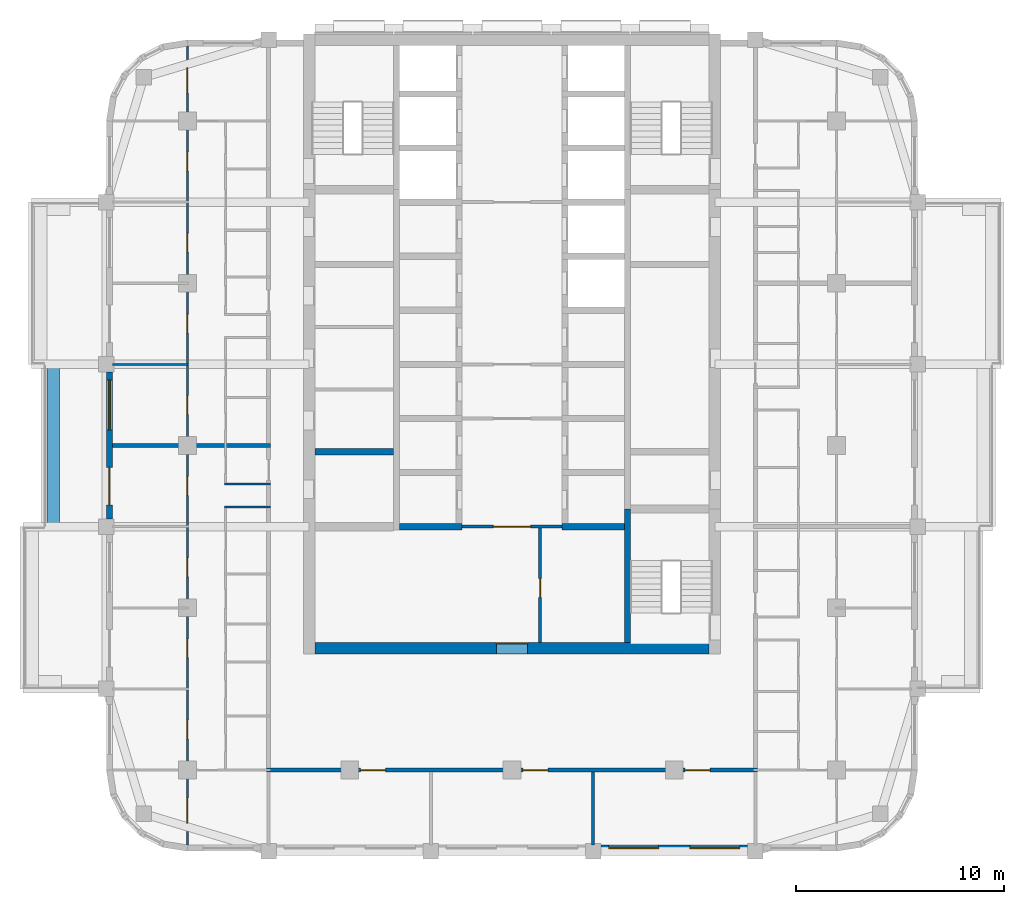
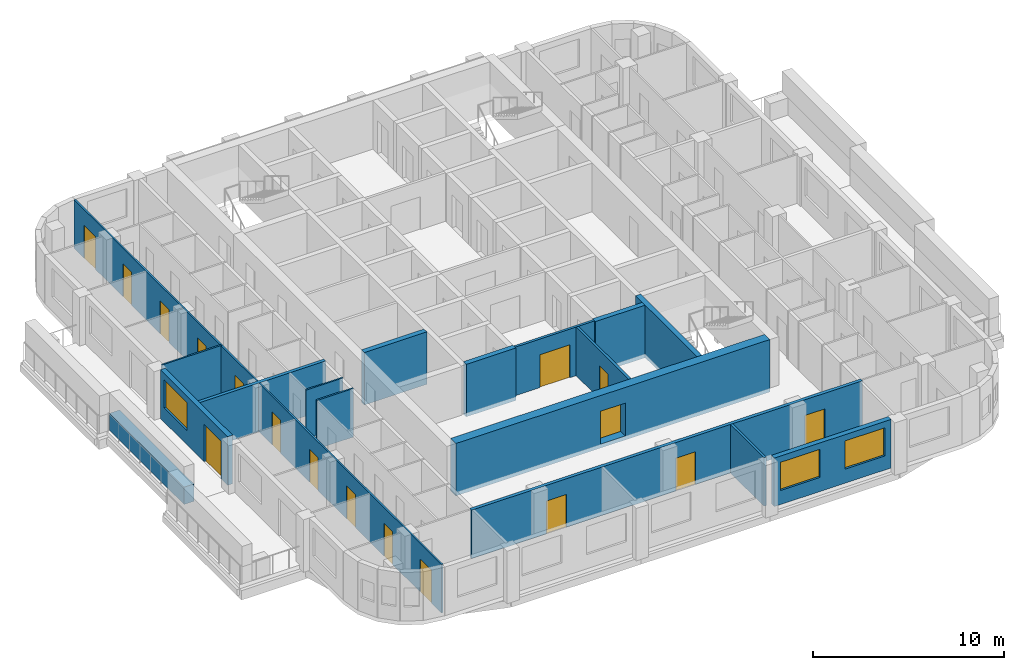
# One storey, part 3 of 13: 17 doors, 17 walls, 3 windows, 20 openings.
"""IFC4 building model written with IfcOpenShell, lengths in metres."""

from ifc_helpers import new_model, si_unit, direction, frame, frame_2d, origin, place, context, subcontext, project, spatial, rectangle, extrude, material, layer, layer_set, type_object, element, fill, save


model = new_model("IFC4")

# Units and contexts
model_context = context("Model", 3, precision=1e-05, world=origin(), true_north=direction((0.0, 1.0)))
body_context = subcontext(model_context, "Body", "Model", "MODEL_VIEW")
ifc_project = project(units=[si_unit("LENGTHUNIT", "METRE"), si_unit("AREAUNIT", "SQUARE_METRE"), si_unit("VOLUMEUNIT", "CUBIC_METRE"), si_unit("PLANEANGLEUNIT", "RADIAN"), si_unit("MASSUNIT", "GRAM", prefix="KILO")], contexts=[model_context])

# Site, building, storey
site_placement = place(None, origin())
site = spatial("IfcSite", under=ifc_project, at=site_placement, CompositionType="ELEMENT")
building_placement = place(site_placement, origin())
building = spatial("IfcBuilding", under=site, at=building_placement, Name="Ludao Terraces", CompositionType="ELEMENT")
storey_placement = place(building_placement, frame((0.0, 0.0, 189.39990234375)))
storey = spatial("IfcBuildingStorey", under=building, at=storey_placement, Name="L51", CompositionType="ELEMENT", Elevation=189.39990234375)

# Wall, opening, door
ifc_material_1 = material(Name="Concrete C60", Category="concrete")
ifc_layer_1 = layer(ifc_material_1, 0.550048828125)
ifc_layer_set_1 = layer_set([ifc_layer_1], Name="Core wall 550 C60")
wall_type_1 = type_object("IfcWallType", Name="Core wall 550 C60", PredefinedType="SOLIDWALL", material=ifc_layer_set_1)
wall_1_placement = place(storey_placement, frame((75.52490234375, 55.25, -0.25), z_axis=(0.0, 0.0, 1.0), x_axis=(1.0, 0.0, 0.0)))
wall_1 = element("IfcWall", 1, at=wall_1_placement, inside=storey, type_object=wall_type_1, Name="Core wall L51 outer-S", PredefinedType="SOLIDWALL", context=body_context, shape_type="SweptSolid", body=[
    extrude(rectangle(XDim=18.9501953125, YDim=0.550048828125, at=frame_2d((9.47509765625, 0.0))), origin(), (0.0, 0.0, 1.0), 3.35009765625),
])
opening_1_placement = place(wall_1_placement, frame((8.72509765625, 0.0, 0.25)))
opening_1 = element("IfcOpeningElement", 2, at=opening_1_placement, cuts=wall_1, Name="Opening R18-016", PredefinedType="OPENING", context=body_context, shape_type="SweptSolid", body=[
    extrude(rectangle(XDim=1.5, YDim=2.10009765625, at=frame_2d((0.75, 1.050048828125))), frame((0.0, 0.28515625, 0.0), z_axis=(0.0, -1.0, 0.0), x_axis=(1.0, 0.0, 0.0)), (0.0, 0.0, 1.0), 0.570068359375),
])
ifc_material_2 = material(Name="Steel Q235", Category="steel")
door_type_1 = type_object("IfcDoorType", Name="INT Lobby door 1500", OperationType="DOUBLE_DOOR_SINGLE_SWING", PredefinedType="DOOR", material=ifc_material_2)
door_1_placement = place(opening_1_placement, origin())
door_1 = element("IfcDoor", 3, at=door_1_placement, inside=storey, type_object=door_type_1, Name="DOOR 016", OperationType="DOUBLE_DOOR_SINGLE_SWING", OverallHeight=2.10009765625, OverallWidth=1.5, PredefinedType="DOOR", context=body_context, shape_type="SweptSolid", body=[
    extrude(rectangle(XDim=1.5, YDim=2.10009765625, at=frame_2d((0.75, 1.050048828125))), frame((0.0, 0.26025390625, 0.0), z_axis=(0.0, -1.0, 0.0), x_axis=(1.0, 0.0, 0.0)), (0.0, 0.0, 1.0), 0.050048828125),
])
fill(opening_1, door_1)

# Wall
ifc_material_3 = material(Name="Concrete C40", Category="concrete")
ifc_layer_2 = layer(ifc_material_3, 0.60009765625)
ifc_layer_set_2 = layer_set([ifc_layer_2], Name="ENV Planter trough 600")
wall_type_2 = type_object("IfcWallType", Name="ENV Planter trough 600", PredefinedType="USERDEFINED", material=ifc_layer_set_2)
wall_2_placement = place(storey_placement, frame((62.949951171875, 61.10009765625, 0.0), z_axis=(0.0, 0.0, 1.0), x_axis=(0.0, 1.0, 0.0)))
element("IfcWall", 4, at=wall_2_placement, inside=storey, type_object=wall_type_2, Name="PL-L51-W2", ObjectType="PLANTER", PredefinedType="USERDEFINED", context=body_context, shape_type="SweptSolid", body=[
    extrude(rectangle(XDim=7.7998046875, YDim=0.60009765625, at=frame_2d((3.89990234375, 0.0))), origin(), (0.0, 0.0, 1.0), 1.10009765625),
])

# Wall, openings, windows
ifc_material_4 = material(Name="Granite cladding", Category="masonry")
ifc_layer_3 = layer(ifc_material_4, 0.0400390625, Category="stone")
ifc_material_5 = material(Name="Mineral wool")
ifc_layer_4 = layer(ifc_material_5, 0.06005859375)
ifc_layer_5 = layer(ifc_material_3, 0.199951171875, Category="concrete")
ifc_layer_set_3 = layer_set([ifc_layer_3, ifc_layer_4, ifc_layer_5], Name="ENV Stone-clad wall 300")
wall_type_3 = type_object("IfcWallType", Name="ENV Stone-clad wall 300", PredefinedType="SOLIDWALL", material=ifc_layer_set_3)
wall_3_placement = place(storey_placement, frame((89.27490234375, 45.64990234375, 0.0), z_axis=(0.0, 0.0, 1.0), x_axis=(1.0, 0.0, 0.0)))
wall_3 = element("IfcWall", 5, at=wall_3_placement, inside=storey, type_object=wall_type_3, Name="EW-L51-S4", PredefinedType="SOLIDWALL", context=body_context, shape_type="SweptSolid", body=[
    extrude(rectangle(XDim=7.050048828125, YDim=0.300048828125, at=frame_2d((3.52490234375, 0.0))), origin(), (0.0, 0.0, 1.0), 3.10009765625),
])
opening_2_placement = place(wall_3_placement, frame((0.375, 0.0, 0.89990234375)))
opening_2 = element("IfcOpeningElement", 6, at=opening_2_placement, cuts=wall_3, Name="Opening W1", PredefinedType="OPENING", context=body_context, shape_type="SweptSolid", body=[
    extrude(rectangle(XDim=2.39990234375, YDim=1.800048828125, at=frame_2d((1.199951171875, 0.89990234375))), frame((0.0, 0.16015625, 0.0), z_axis=(0.0, -1.0, 0.0), x_axis=(1.0, 0.0, 0.0)), (0.0, 0.0, 1.0), 0.320068359375),
])
opening_3_placement = place(wall_3_placement, frame((4.27490234375, 0.0, 0.89990234375)))
opening_3 = element("IfcOpeningElement", 7, at=opening_3_placement, cuts=wall_3, Name="Opening W1", PredefinedType="OPENING", context=body_context, shape_type="SweptSolid", body=[
    extrude(rectangle(XDim=2.39990234375, YDim=1.800048828125, at=frame_2d((1.199951171875, 0.89990234375))), frame((0.0, 0.16015625, 0.0), z_axis=(0.0, -1.0, 0.0), x_axis=(1.0, 0.0, 0.0)), (0.0, 0.0, 1.0), 0.320068359375),
])
ifc_material_6 = material(Name="Clear glass in aluminium frame", Category="aluminium")
ifc_layer_6 = layer(ifc_material_6, 0.06005859375)
ifc_layer_set_4 = layer_set([ifc_layer_6], Name="ENV Window W1 2400x1800")
window_type = type_object("IfcWindowType", Name="ENV Window W1 2400x1800", PartitioningType="DOUBLE_PANEL_VERTICAL", PredefinedType="WINDOW", material=ifc_layer_set_4)
window_1_placement = place(opening_2_placement, origin())
window_1 = element("IfcWindow", 8, at=window_1_placement, inside=storey, type_object=window_type, Name="W-L51-S4-1", OverallHeight=1.800048828125, OverallWidth=2.39990234375, PartitioningType="DOUBLE_PANEL_VERTICAL", PredefinedType="WINDOW", context=body_context, shape_type="SweptSolid", body=[
    extrude(rectangle(XDim=2.39990234375, YDim=1.800048828125, at=frame_2d((1.199951171875, 0.89990234375))), frame((0.0, 0.030029296875, 0.0), z_axis=(0.0, -1.0, 0.0), x_axis=(1.0, 0.0, 0.0)), (0.0, 0.0, 1.0), 0.06005859375),
])
fill(opening_2, window_1)
window_2_placement = place(opening_3_placement, origin())
window_2 = element("IfcWindow", 9, at=window_2_placement, inside=storey, type_object=window_type, Name="W-L51-S4-2", OverallHeight=1.800048828125, OverallWidth=2.39990234375, PartitioningType="DOUBLE_PANEL_VERTICAL", PredefinedType="WINDOW", context=body_context, shape_type="SweptSolid", body=[
    extrude(rectangle(XDim=2.39990234375, YDim=1.800048828125, at=frame_2d((1.199951171875, 0.89990234375))), frame((0.0, 0.030029296875, 0.0), z_axis=(0.0, -1.0, 0.0), x_axis=(1.0, 0.0, 0.0)), (0.0, 0.0, 1.0), 0.06005859375),
])
fill(opening_3, window_2)

# Wall, openings, door, window
wall_4_placement = place(storey_placement, frame((65.64990234375, 61.47509765625, 0.0), z_axis=(0.0, 0.0, 1.0), x_axis=(0.0, 1.0, 0.0)))
wall_4 = element("IfcWall", 10, at=wall_4_placement, inside=storey, type_object=wall_type_3, Name="EW-L51-W3", PredefinedType="SOLIDWALL", context=body_context, shape_type="SweptSolid", body=[
    extrude(rectangle(XDim=7.0498046875, YDim=0.300048828125, at=frame_2d((3.52490234375, 0.0))), origin(), (0.0, 0.0, 1.0), 3.10009765625),
])
opening_4_placement = place(wall_4_placement, frame((0.675048828125, 0.0, 0.0)))
opening_4 = element("IfcOpeningElement", 11, at=opening_4_placement, cuts=wall_4, Name="Opening BD", PredefinedType="OPENING", context=body_context, shape_type="SweptSolid", body=[
    extrude(rectangle(XDim=1.800048828125, YDim=2.39990234375, at=frame_2d((0.89990234375, 1.199951171875))), frame((0.0, 0.16015625, 0.0), z_axis=(0.0, -1.0, 0.0), x_axis=(1.0, 0.0, 0.0)), (0.0, 0.0, 1.0), 0.320068359375),
])
opening_5_placement = place(wall_4_placement, frame((4.27490234375, 0.0, 0.89990234375)))
opening_5 = element("IfcOpeningElement", 12, at=opening_5_placement, cuts=wall_4, Name="Opening W1", PredefinedType="OPENING", context=body_context, shape_type="SweptSolid", body=[
    extrude(rectangle(XDim=2.39990234375, YDim=1.800048828125, at=frame_2d((1.199951171875, 0.89990234375))), frame((0.0, 0.16015625, 0.0), z_axis=(0.0, -1.0, 0.0), x_axis=(1.0, 0.0, 0.0)), (0.0, 0.0, 1.0), 0.320068359375),
])
ifc_material_7 = material(Name="Aluminium glazed door", Category="aluminium")
ifc_layer_7 = layer(ifc_material_7, 0.06005859375)
ifc_layer_set_5 = layer_set([ifc_layer_7], Name="ENV Balcony door BD 1800x2400")
door_type_2 = type_object("IfcDoorType", Name="ENV Balcony door BD 1800x2400", OperationType="DOUBLE_DOOR_SINGLE_SWING", PredefinedType="DOOR", material=ifc_layer_set_5)
door_2_placement = place(opening_4_placement, origin())
door_2 = element("IfcDoor", 13, at=door_2_placement, inside=storey, type_object=door_type_2, Name="BD-L51-W3-1", OperationType="DOUBLE_DOOR_SINGLE_SWING", OverallHeight=2.39990234375, OverallWidth=1.800048828125, PredefinedType="DOOR", context=body_context, shape_type="SweptSolid", body=[
    extrude(rectangle(XDim=1.800048828125, YDim=2.39990234375, at=frame_2d((0.89990234375, 1.199951171875))), frame((0.0, 0.02490234375, 0.0), z_axis=(0.0, -1.0, 0.0), x_axis=(1.0, 0.0, 0.0)), (0.0, 0.0, 1.0), 0.050048828125),
])
fill(opening_4, door_2)
window_3_placement = place(opening_5_placement, origin())
window_3 = element("IfcWindow", 14, at=window_3_placement, inside=storey, type_object=window_type, Name="W-L51-W3-2", OverallHeight=1.800048828125, OverallWidth=2.39990234375, PartitioningType="DOUBLE_PANEL_VERTICAL", PredefinedType="WINDOW", context=body_context, shape_type="SweptSolid", body=[
    extrude(rectangle(XDim=2.39990234375, YDim=1.800048828125, at=frame_2d((1.199951171875, 0.89990234375))), frame((0.0, 0.030029296875, 0.0), z_axis=(0.0, -1.0, 0.0), x_axis=(1.0, 0.0, 0.0)), (0.0, 0.0, 1.0), 0.06005859375),
])
fill(opening_5, window_3)

# Wall, opening, door
ifc_material_8 = material(Name="Fire-rated gypsum plasterboard", Category="gypsum")
ifc_layer_8 = layer(ifc_material_8, 0.012451171875, Category="gypsum")
ifc_layer_9 = layer(ifc_material_5, 0.10009765625, Name="insulation")
ifc_layer_10 = layer(ifc_material_2, 0.02490234375, Name="stud")
ifc_layer_11 = layer(ifc_material_8, 0.012451171875, Category="gypsum")
ifc_layer_set_6 = layer_set([ifc_layer_8, ifc_layer_9, ifc_layer_10, ifc_layer_11], Name="INT Core partition 150")
wall_type_4 = type_object("IfcWallType", Name="INT Core partition 150", PredefinedType="PARTITIONING", material=ifc_layer_set_6)
wall_5_placement = place(storey_placement, frame((82.60009765625, 61.10009765625, 0.0), z_axis=(0.0, 0.0, 1.0), x_axis=(1.0, 0.0, 0.0)))
wall_5 = element("IfcWall", 15, at=wall_5_placement, inside=storey, type_object=wall_type_4, Name="PW-L51-PW017", PredefinedType="PARTITIONING", context=body_context, shape_type="SweptSolid", body=[
    extrude(rectangle(XDim=4.800048828125, YDim=0.14990234375, at=frame_2d((2.39990234375, 0.0))), origin(), (0.0, 0.0, 1.0), 3.10009765625),
])
opening_6_placement = place(wall_5_placement, frame((1.5, 0.0, 0.0)))
opening_6 = element("IfcOpeningElement", 16, at=opening_6_placement, cuts=wall_5, Name="Opening R18-028", PredefinedType="OPENING", context=body_context, shape_type="SweptSolid", body=[
    extrude(rectangle(XDim=1.800048828125, YDim=2.10009765625, at=frame_2d((0.89990234375, 1.050048828125))), frame((0.0, 0.0849609375, 0.0), z_axis=(0.0, -1.0, 0.0), x_axis=(1.0, 0.0, 0.0)), (0.0, 0.0, 1.0), 0.169921875),
])
door_type_3 = type_object("IfcDoorType", Name="INT Fire lobby door 1800", OperationType="DOUBLE_DOOR_SINGLE_SWING", PredefinedType="DOOR", material=ifc_material_2)
door_3_placement = place(opening_6_placement, origin())
door_3 = element("IfcDoor", 17, at=door_3_placement, inside=storey, type_object=door_type_3, Name="DOOR 028", OperationType="DOUBLE_DOOR_SINGLE_SWING", OverallHeight=2.10009765625, OverallWidth=1.800048828125, PredefinedType="DOOR", context=body_context, shape_type="SweptSolid", body=[
    extrude(rectangle(XDim=1.800048828125, YDim=2.10009765625, at=frame_2d((0.89990234375, 1.050048828125))), frame((0.0, 0.02490234375, 0.0), z_axis=(0.0, -1.0, 0.0), x_axis=(1.0, 0.0, 0.0)), (0.0, 0.0, 1.0), 0.050048828125),
])
fill(opening_6, door_3)

wall_6_placement = place(storey_placement, frame((86.35009765625, 55.525146484375, 0.0), z_axis=(0.0, 0.0, 1.0), x_axis=(0.0, 1.0, 0.0)))
wall_6 = element("IfcWall", 18, at=wall_6_placement, inside=storey, type_object=wall_type_4, Name="PW-L51-PW056", PredefinedType="PARTITIONING", context=body_context, shape_type="SweptSolid", body=[
    extrude(rectangle(XDim=5.5, YDim=0.14990234375, at=frame_2d((2.75, 0.0))), origin(), (0.0, 0.0, 1.0), 3.10009765625),
])
opening_7_placement = place(wall_6_placement, frame((2.175048828125, 0.0, 0.0)))
opening_7 = element("IfcOpeningElement", 19, at=opening_7_placement, cuts=wall_6, Name="Opening R18-023", PredefinedType="OPENING", context=body_context, shape_type="SweptSolid", body=[
    extrude(rectangle(XDim=0.89990234375, YDim=2.10009765625, at=frame_2d((0.449951171875, 1.050048828125))), frame((0.0, 0.0849609375, 0.0), z_axis=(0.0, -1.0, 0.0), x_axis=(1.0, 0.0, 0.0)), (0.0, 0.0, 1.0), 0.169921875),
])
ifc_material_9 = material(Name="Timber door leaf", Category="wood")
door_type_4 = type_object("IfcDoorType", Name="INT Room door 900", OperationType="SINGLE_SWING_LEFT", PredefinedType="DOOR", material=ifc_material_9)
door_4_placement = place(opening_7_placement, origin())
door_4 = element("IfcDoor", 20, at=door_4_placement, inside=storey, type_object=door_type_4, Name="DOOR 023", OperationType="SINGLE_SWING_RIGHT", OverallHeight=2.10009765625, OverallWidth=0.89990234375, PredefinedType="DOOR", context=body_context, shape_type="SweptSolid", body=[
    extrude(rectangle(XDim=0.89990234375, YDim=2.10009765625, at=frame_2d((0.449951171875, 1.050048828125))), frame((0.0, 0.02490234375, 0.0), z_axis=(0.0, -1.0, 0.0), x_axis=(1.0, 0.0, 0.0)), (0.0, 0.0, 1.0), 0.050048828125),
])
fill(opening_7, door_4)

# Wall, openings, doors
ifc_material_10 = material(Name="Autoclaved aerated concrete block B06 A3.5", Category="concrete")
ifc_layer_12 = layer(ifc_material_10, 0.199951171875)
ifc_layer_set_7 = layer_set([ifc_layer_12], Name="INT Entrance wall 200")
wall_type_5 = type_object("IfcWallType", Name="INT Entrance wall 200", PredefinedType="PARTITIONING", material=ifc_layer_set_7)
wall_7_placement = place(storey_placement, frame((73.2001953125, 49.39990234375, 0.0), z_axis=(0.0, 0.0, 1.0), x_axis=(1.0, 0.0, 0.0)))
wall_7 = element("IfcWall", 21, at=wall_7_placement, inside=storey, type_object=wall_type_5, Name="PW-L51-PW001", PredefinedType="PARTITIONING", context=body_context, shape_type="SweptSolid", body=[
    extrude(rectangle(XDim=23.599853515625, YDim=0.199951171875, at=frame_2d((11.7998046875, 0.0))), origin(), (0.0, 0.0, 1.0), 3.10009765625),
])
opening_8_placement = place(wall_7_placement, frame((4.52490234375, 0.0, 0.0)))
opening_8 = element("IfcOpeningElement", 22, at=opening_8_placement, cuts=wall_7, Name="Opening R18-004", PredefinedType="OPENING", context=body_context, shape_type="SweptSolid", body=[
    extrude(rectangle(XDim=1.199951171875, YDim=2.10009765625, at=frame_2d((0.60009765625, 1.050048828125))), frame((0.0, 0.10986328125, 0.0), z_axis=(0.0, -1.0, 0.0), x_axis=(1.0, 0.0, 0.0)), (0.0, 0.0, 1.0), 0.219970703125),
])
opening_9_placement = place(wall_7_placement, frame((12.324951171875, 0.0, 0.0)))
opening_9 = element("IfcOpeningElement", 23, at=opening_9_placement, cuts=wall_7, Name="Opening R18-005", PredefinedType="OPENING", context=body_context, shape_type="SweptSolid", body=[
    extrude(rectangle(XDim=1.199951171875, YDim=2.10009765625, at=frame_2d((0.60009765625, 1.050048828125))), frame((0.0, 0.10986328125, 0.0), z_axis=(0.0, -1.0, 0.0), x_axis=(1.0, 0.0, 0.0)), (0.0, 0.0, 1.0), 0.219970703125),
])
opening_10_placement = place(wall_7_placement, frame((20.125, 0.0, 0.0)))
opening_10 = element("IfcOpeningElement", 24, at=opening_10_placement, cuts=wall_7, Name="Opening R18-006", PredefinedType="OPENING", context=body_context, shape_type="SweptSolid", body=[
    extrude(rectangle(XDim=1.199951171875, YDim=2.10009765625, at=frame_2d((0.60009765625, 1.050048828125))), frame((0.0, 0.10986328125, 0.0), z_axis=(0.0, -1.0, 0.0), x_axis=(1.0, 0.0, 0.0)), (0.0, 0.0, 1.0), 0.219970703125),
])
door_type_5 = type_object("IfcDoorType", Name="INT Double door 1200", OperationType="DOUBLE_DOOR_SINGLE_SWING", PredefinedType="DOOR", material=ifc_material_9)
door_5_placement = place(opening_8_placement, origin())
door_5 = element("IfcDoor", 25, at=door_5_placement, inside=storey, type_object=door_type_5, Name="DOOR 004", OperationType="DOUBLE_DOOR_SINGLE_SWING", OverallHeight=2.10009765625, OverallWidth=1.199951171875, PredefinedType="DOOR", context=body_context, shape_type="SweptSolid", body=[
    extrude(rectangle(XDim=1.199951171875, YDim=2.10009765625, at=frame_2d((0.60009765625, 1.050048828125))), frame((0.0, 0.02490234375, 0.0), z_axis=(0.0, -1.0, 0.0), x_axis=(1.0, 0.0, 0.0)), (0.0, 0.0, 1.0), 0.050048828125),
])
fill(opening_8, door_5)
door_6_placement = place(opening_9_placement, origin())
door_6 = element("IfcDoor", 26, at=door_6_placement, inside=storey, type_object=door_type_5, Name="DOOR 005", OperationType="DOUBLE_DOOR_SINGLE_SWING", OverallHeight=2.10009765625, OverallWidth=1.199951171875, PredefinedType="DOOR", context=body_context, shape_type="SweptSolid", body=[
    extrude(rectangle(XDim=1.199951171875, YDim=2.10009765625, at=frame_2d((0.60009765625, 1.050048828125))), frame((0.0, 0.02490234375, 0.0), z_axis=(0.0, -1.0, 0.0), x_axis=(1.0, 0.0, 0.0)), (0.0, 0.0, 1.0), 0.050048828125),
])
fill(opening_9, door_6)
door_7_placement = place(opening_10_placement, origin())
door_7 = element("IfcDoor", 27, at=door_7_placement, inside=storey, type_object=door_type_5, Name="DOOR 006", OperationType="DOUBLE_DOOR_SINGLE_SWING", OverallHeight=2.10009765625, OverallWidth=1.199951171875, PredefinedType="DOOR", context=body_context, shape_type="SweptSolid", body=[
    extrude(rectangle(XDim=1.199951171875, YDim=2.10009765625, at=frame_2d((0.60009765625, 1.050048828125))), frame((0.0, 0.02490234375, 0.0), z_axis=(0.0, -1.0, 0.0), x_axis=(1.0, 0.0, 0.0)), (0.0, 0.0, 1.0), 0.050048828125),
])
fill(opening_10, door_7)

# Walls
ifc_material_11 = material(Name="Gypsum plasterboard", Category="gypsum")
ifc_layer_13 = layer(ifc_material_11, 0.012451171875, Category="gypsum")
ifc_layer_14 = layer(ifc_material_5, 0.06005859375, Name="insulation")
ifc_layer_15 = layer(ifc_material_2, 0.014892578125, Name="stud")
ifc_layer_16 = layer(ifc_material_11, 0.012451171875, Category="gypsum")
ifc_layer_set_8 = layer_set([ifc_layer_13, ifc_layer_14, ifc_layer_15, ifc_layer_16], Name="INT Partition 100")
wall_type_6 = type_object("IfcWallType", Name="INT Partition 100", PredefinedType="PARTITIONING", material=ifc_layer_set_8)
for number, where, z_axis, x_axis, name in (
    (28, (71.18017578125, 62.050048828125, 0.0), (0.0, 0.0, 1.0), (1.0, 0.0, 0.0), "PW-L51-PW019"),
    (29, (71.18017578125, 63.14990234375, 0.0), (0.0, 0.0, 1.0), (1.0, 0.0, 0.0), "PW-L51-PW020"),
):
    element("IfcWall", number, at=place(storey_placement, frame(where, z_axis=z_axis, x_axis=x_axis)), inside=storey, type_object=wall_type_6, Name=name, PredefinedType="PARTITIONING", context=body_context, shape_type="SweptSolid", body=[
        extrude(rectangle(XDim=2.219970703125, YDim=0.10009765625, at=frame_2d((1.10986328125, 0.0))), origin(), (0.0, 0.0, 1.0), 3.10009765625),
    ])
wall_8_placement = place(storey_placement, frame((65.800048828125, 68.89990234375, 0.0), z_axis=(0.0, 0.0, 1.0), x_axis=(1.0, 0.0, 0.0)))
element("IfcWall", 30, at=wall_8_placement, inside=storey, type_object=wall_type_6, Name="PW-L51-PW028", PredefinedType="PARTITIONING", context=body_context, shape_type="SweptSolid", body=[
    extrude(rectangle(XDim=3.650146484375, YDim=0.10009765625, at=frame_2d((1.8251953125, 0.0))), origin(), (0.0, 0.0, 1.0), 3.10009765625),
])

# Wall, openings, doors
wall_9_placement = place(storey_placement, frame((69.39990234375, 45.800048828125, 0.0), z_axis=(0.0, 0.0, 1.0), x_axis=(0.0, 1.0, 0.0)))
wall_9 = element("IfcWall", 31, at=wall_9_placement, inside=storey, type_object=wall_type_6, Name="PW-L51-PW049", PredefinedType="PARTITIONING", context=body_context, shape_type="SweptSolid", body=[
    extrude(rectangle(XDim=38.400146484375, YDim=0.10009765625, at=frame_2d((19.2001953125, 0.0))), origin(), (0.0, 0.0, 1.0), 3.10009765625),
])
opening_11_placement = place(wall_9_placement, frame((1.050048828125, 0.0, 0.0)))
opening_11 = element("IfcOpeningElement", 32, at=opening_11_placement, cuts=wall_9, Name="Opening R18-001", PredefinedType="OPENING", context=body_context, shape_type="SweptSolid", body=[
    extrude(rectangle(XDim=1.199951171875, YDim=2.10009765625, at=frame_2d((0.60009765625, 1.050048828125))), frame((0.0, 0.06005859375, 0.0), z_axis=(0.0, -1.0, 0.0), x_axis=(1.0, 0.0, 0.0)), (0.0, 0.0, 1.0), 0.1201171875),
])
opening_12_placement = place(wall_9_placement, frame((5.10009765625, 0.0, 0.0)))
opening_12 = element("IfcOpeningElement", 33, at=opening_12_placement, cuts=wall_9, Name="Opening R18-010", PredefinedType="OPENING", context=body_context, shape_type="SweptSolid", body=[
    extrude(rectangle(XDim=0.89990234375, YDim=2.10009765625, at=frame_2d((0.449951171875, 1.050048828125))), frame((0.0, 0.06005859375, 0.0), z_axis=(0.0, -1.0, 0.0), x_axis=(1.0, 0.0, 0.0)), (0.0, 0.0, 1.0), 0.1201171875),
])
opening_13_placement = place(wall_9_placement, frame((9.0, 0.0, 0.0)))
opening_13 = element("IfcOpeningElement", 34, at=opening_13_placement, cuts=wall_9, Name="Opening R18-015", PredefinedType="OPENING", context=body_context, shape_type="SweptSolid", body=[
    extrude(rectangle(XDim=0.89990234375, YDim=2.10009765625, at=frame_2d((0.449951171875, 1.050048828125))), frame((0.0, 0.06005859375, 0.0), z_axis=(0.0, -1.0, 0.0), x_axis=(1.0, 0.0, 0.0)), (0.0, 0.0, 1.0), 0.1201171875),
])
opening_14_placement = place(wall_9_placement, frame((12.89990234375, 0.0, 0.0)))
opening_14 = element("IfcOpeningElement", 35, at=opening_14_placement, cuts=wall_9, Name="Opening R18-024", PredefinedType="OPENING", context=body_context, shape_type="SweptSolid", body=[
    extrude(rectangle(XDim=0.89990234375, YDim=2.10009765625, at=frame_2d((0.449951171875, 1.050048828125))), frame((0.0, 0.06005859375, 0.0), z_axis=(0.0, -1.0, 0.0), x_axis=(1.0, 0.0, 0.0)), (0.0, 0.0, 1.0), 0.1201171875),
])
opening_15_placement = place(wall_9_placement, frame((16.800048828125, 0.0, 0.0)))
opening_15 = element("IfcOpeningElement", 36, at=opening_15_placement, cuts=wall_9, Name="Opening R18-033", PredefinedType="OPENING", context=body_context, shape_type="SweptSolid", body=[
    extrude(rectangle(XDim=0.89990234375, YDim=2.10009765625, at=frame_2d((0.449951171875, 1.050048828125))), frame((0.0, 0.06005859375, 0.0), z_axis=(0.0, -1.0, 0.0), x_axis=(1.0, 0.0, 0.0)), (0.0, 0.0, 1.0), 0.1201171875),
])
opening_16_placement = place(wall_9_placement, frame((20.699951171875, 0.0, 0.0)))
opening_16 = element("IfcOpeningElement", 37, at=opening_16_placement, cuts=wall_9, Name="Opening R18-044", PredefinedType="OPENING", context=body_context, shape_type="SweptSolid", body=[
    extrude(rectangle(XDim=0.89990234375, YDim=2.10009765625, at=frame_2d((0.449951171875, 1.050048828125))), frame((0.0, 0.06005859375, 0.0), z_axis=(0.0, -1.0, 0.0), x_axis=(1.0, 0.0, 0.0)), (0.0, 0.0, 1.0), 0.1201171875),
])
opening_17_placement = place(wall_9_placement, frame((24.60009765625, 0.0, 0.0)))
opening_17 = element("IfcOpeningElement", 38, at=opening_17_placement, cuts=wall_9, Name="Opening R18-055", PredefinedType="OPENING", context=body_context, shape_type="SweptSolid", body=[
    extrude(rectangle(XDim=0.89990234375, YDim=2.10009765625, at=frame_2d((0.449951171875, 1.050048828125))), frame((0.0, 0.06005859375, 0.0), z_axis=(0.0, -1.0, 0.0), x_axis=(1.0, 0.0, 0.0)), (0.0, 0.0, 1.0), 0.1201171875),
])
opening_18_placement = place(wall_9_placement, frame((28.5, 0.0, 0.0)))
opening_18 = element("IfcOpeningElement", 39, at=opening_18_placement, cuts=wall_9, Name="Opening R18-065", PredefinedType="OPENING", context=body_context, shape_type="SweptSolid", body=[
    extrude(rectangle(XDim=0.89990234375, YDim=2.10009765625, at=frame_2d((0.449951171875, 1.050048828125))), frame((0.0, 0.06005859375, 0.0), z_axis=(0.0, -1.0, 0.0), x_axis=(1.0, 0.0, 0.0)), (0.0, 0.0, 1.0), 0.1201171875),
])
opening_19_placement = place(wall_9_placement, frame((32.39990234375, 0.0, 0.0)))
opening_19 = element("IfcOpeningElement", 40, at=opening_19_placement, cuts=wall_9, Name="Opening R18-079", PredefinedType="OPENING", context=body_context, shape_type="SweptSolid", body=[
    extrude(rectangle(XDim=0.89990234375, YDim=2.10009765625, at=frame_2d((0.449951171875, 1.050048828125))), frame((0.0, 0.06005859375, 0.0), z_axis=(0.0, -1.0, 0.0), x_axis=(1.0, 0.0, 0.0)), (0.0, 0.0, 1.0), 0.1201171875),
])
opening_20_placement = place(wall_9_placement, frame((36.14990234375, 0.0, 0.0)))
opening_20 = element("IfcOpeningElement", 41, at=opening_20_placement, cuts=wall_9, Name="Opening R18-088", PredefinedType="OPENING", context=body_context, shape_type="SweptSolid", body=[
    extrude(rectangle(XDim=1.199951171875, YDim=2.10009765625, at=frame_2d((0.60009765625, 1.050048828125))), frame((0.0, 0.06005859375, 0.0), z_axis=(0.0, -1.0, 0.0), x_axis=(1.0, 0.0, 0.0)), (0.0, 0.0, 1.0), 0.1201171875),
])
door_8_placement = place(opening_11_placement, origin())
door_8 = element("IfcDoor", 42, at=door_8_placement, inside=storey, type_object=door_type_5, Name="DOOR 001", OperationType="DOUBLE_DOOR_SINGLE_SWING", OverallHeight=2.10009765625, OverallWidth=1.199951171875, PredefinedType="DOOR", context=body_context, shape_type="SweptSolid", body=[
    extrude(rectangle(XDim=1.199951171875, YDim=2.10009765625, at=frame_2d((0.60009765625, 1.050048828125))), frame((0.0, 0.02490234375, 0.0), z_axis=(0.0, -1.0, 0.0), x_axis=(1.0, 0.0, 0.0)), (0.0, 0.0, 1.0), 0.050048828125),
])
fill(opening_11, door_8)
door_9_placement = place(opening_20_placement, origin())
door_9 = element("IfcDoor", 43, at=door_9_placement, inside=storey, type_object=door_type_5, Name="DOOR 088", OperationType="DOUBLE_DOOR_SINGLE_SWING", OverallHeight=2.10009765625, OverallWidth=1.199951171875, PredefinedType="DOOR", context=body_context, shape_type="SweptSolid", body=[
    extrude(rectangle(XDim=1.199951171875, YDim=2.10009765625, at=frame_2d((0.60009765625, 1.050048828125))), frame((0.0, 0.02490234375, 0.0), z_axis=(0.0, -1.0, 0.0), x_axis=(1.0, 0.0, 0.0)), (0.0, 0.0, 1.0), 0.050048828125),
])
fill(opening_20, door_9)
door_10_placement = place(opening_12_placement, origin())
door_10 = element("IfcDoor", 44, at=door_10_placement, inside=storey, type_object=door_type_4, Name="DOOR 010", OperationType="SINGLE_SWING_RIGHT", OverallHeight=2.10009765625, OverallWidth=0.89990234375, PredefinedType="DOOR", context=body_context, shape_type="SweptSolid", body=[
    extrude(rectangle(XDim=0.89990234375, YDim=2.10009765625, at=frame_2d((0.449951171875, 1.050048828125))), frame((0.0, 0.02490234375, 0.0), z_axis=(0.0, -1.0, 0.0), x_axis=(1.0, 0.0, 0.0)), (0.0, 0.0, 1.0), 0.050048828125),
])
fill(opening_12, door_10)
door_11_placement = place(opening_13_placement, origin())
door_11 = element("IfcDoor", 45, at=door_11_placement, inside=storey, type_object=door_type_4, Name="DOOR 015", OperationType="SINGLE_SWING_LEFT", OverallHeight=2.10009765625, OverallWidth=0.89990234375, PredefinedType="DOOR", context=body_context, shape_type="SweptSolid", body=[
    extrude(rectangle(XDim=0.89990234375, YDim=2.10009765625, at=frame_2d((0.449951171875, 1.050048828125))), frame((0.0, 0.02490234375, 0.0), z_axis=(0.0, -1.0, 0.0), x_axis=(1.0, 0.0, 0.0)), (0.0, 0.0, 1.0), 0.050048828125),
])
fill(opening_13, door_11)
door_12_placement = place(opening_14_placement, origin())
door_12 = element("IfcDoor", 46, at=door_12_placement, inside=storey, type_object=door_type_4, Name="DOOR 024", OperationType="SINGLE_SWING_RIGHT", OverallHeight=2.10009765625, OverallWidth=0.89990234375, PredefinedType="DOOR", context=body_context, shape_type="SweptSolid", body=[
    extrude(rectangle(XDim=0.89990234375, YDim=2.10009765625, at=frame_2d((0.449951171875, 1.050048828125))), frame((0.0, 0.02490234375, 0.0), z_axis=(0.0, -1.0, 0.0), x_axis=(1.0, 0.0, 0.0)), (0.0, 0.0, 1.0), 0.050048828125),
])
fill(opening_14, door_12)
door_13_placement = place(opening_15_placement, origin())
door_13 = element("IfcDoor", 47, at=door_13_placement, inside=storey, type_object=door_type_4, Name="DOOR 033", OperationType="SINGLE_SWING_RIGHT", OverallHeight=2.10009765625, OverallWidth=0.89990234375, PredefinedType="DOOR", context=body_context, shape_type="SweptSolid", body=[
    extrude(rectangle(XDim=0.89990234375, YDim=2.10009765625, at=frame_2d((0.449951171875, 1.050048828125))), frame((0.0, 0.02490234375, 0.0), z_axis=(0.0, -1.0, 0.0), x_axis=(1.0, 0.0, 0.0)), (0.0, 0.0, 1.0), 0.050048828125),
])
fill(opening_15, door_13)
door_14_placement = place(opening_16_placement, origin())
door_14 = element("IfcDoor", 48, at=door_14_placement, inside=storey, type_object=door_type_4, Name="DOOR 044", OperationType="SINGLE_SWING_RIGHT", OverallHeight=2.10009765625, OverallWidth=0.89990234375, PredefinedType="DOOR", context=body_context, shape_type="SweptSolid", body=[
    extrude(rectangle(XDim=0.89990234375, YDim=2.10009765625, at=frame_2d((0.449951171875, 1.050048828125))), frame((0.0, 0.02490234375, 0.0), z_axis=(0.0, -1.0, 0.0), x_axis=(1.0, 0.0, 0.0)), (0.0, 0.0, 1.0), 0.050048828125),
])
fill(opening_16, door_14)
door_15_placement = place(opening_17_placement, origin())
door_15 = element("IfcDoor", 49, at=door_15_placement, inside=storey, type_object=door_type_4, Name="DOOR 055", OperationType="SINGLE_SWING_LEFT", OverallHeight=2.10009765625, OverallWidth=0.89990234375, PredefinedType="DOOR", context=body_context, shape_type="SweptSolid", body=[
    extrude(rectangle(XDim=0.89990234375, YDim=2.10009765625, at=frame_2d((0.449951171875, 1.050048828125))), frame((0.0, 0.02490234375, 0.0), z_axis=(0.0, -1.0, 0.0), x_axis=(1.0, 0.0, 0.0)), (0.0, 0.0, 1.0), 0.050048828125),
])
fill(opening_17, door_15)
door_16_placement = place(opening_18_placement, origin())
door_16 = element("IfcDoor", 50, at=door_16_placement, inside=storey, type_object=door_type_4, Name="DOOR 065", OperationType="SINGLE_SWING_LEFT", OverallHeight=2.10009765625, OverallWidth=0.89990234375, PredefinedType="DOOR", context=body_context, shape_type="SweptSolid", body=[
    extrude(rectangle(XDim=0.89990234375, YDim=2.10009765625, at=frame_2d((0.449951171875, 1.050048828125))), frame((0.0, 0.02490234375, 0.0), z_axis=(0.0, -1.0, 0.0), x_axis=(1.0, 0.0, 0.0)), (0.0, 0.0, 1.0), 0.050048828125),
])
fill(opening_18, door_16)
door_17_placement = place(opening_19_placement, origin())
door_17 = element("IfcDoor", 51, at=door_17_placement, inside=storey, type_object=door_type_4, Name="DOOR 079", OperationType="SINGLE_SWING_LEFT", OverallHeight=2.10009765625, OverallWidth=0.89990234375, PredefinedType="DOOR", context=body_context, shape_type="SweptSolid", body=[
    extrude(rectangle(XDim=0.89990234375, YDim=2.10009765625, at=frame_2d((0.449951171875, 1.050048828125))), frame((0.0, 0.02490234375, 0.0), z_axis=(0.0, -1.0, 0.0), x_axis=(1.0, 0.0, 0.0)), (0.0, 0.0, 1.0), 0.050048828125),
])
fill(opening_19, door_17)

# Walls
ifc_layer_17 = layer(ifc_material_10, 0.14990234375)
ifc_layer_set_9 = layer_set([ifc_layer_17], Name="INT Party wall 150")
wall_type_7 = type_object("IfcWallType", Name="INT Party wall 150", PredefinedType="PARTITIONING", material=ifc_layer_set_9)
wall_10_placement = place(storey_placement, frame((88.89990234375, 45.800048828125, 0.0), z_axis=(0.0, 0.0, 1.0), x_axis=(0.0, 1.0, 0.0)))
element("IfcWall", 52, at=wall_10_placement, inside=storey, type_object=wall_type_7, Name="PW-L51-PW057", PredefinedType="PARTITIONING", context=body_context, shape_type="SweptSolid", body=[
    extrude(rectangle(XDim=3.5, YDim=0.14990234375, at=frame_2d((1.75, 0.0))), origin(), (0.0, 0.0, 1.0), 3.10009765625),
])
ifc_layer_18 = layer(ifc_material_10, 0.199951171875)
ifc_layer_set_10 = layer_set([ifc_layer_18], Name="INT Party wall 200")
wall_type_8 = type_object("IfcWallType", Name="INT Party wall 200", PredefinedType="PARTITIONING", material=ifc_layer_set_10)
wall_11_placement = place(storey_placement, frame((65.800048828125, 65.0, 0.0), z_axis=(0.0, 0.0, 1.0), x_axis=(1.0, 0.0, 0.0)))
element("IfcWall", 53, at=wall_11_placement, inside=storey, type_object=wall_type_8, Name="PW-L51-PW022", PredefinedType="PARTITIONING", context=body_context, shape_type="SweptSolid", body=[
    extrude(rectangle(XDim=7.60009765625, YDim=0.199951171875, at=frame_2d((3.800048828125, 0.0))), origin(), (0.0, 0.0, 1.0), 3.10009765625),
])
ifc_material_12 = material(Name="Concrete C55", Category="concrete")
ifc_layer_19 = layer(ifc_material_12, 0.300048828125)
ifc_layer_set_11 = layer_set([ifc_layer_19], Name="Shaft wall 300 C55")
wall_type_9 = type_object("IfcWallType", Name="Shaft wall 300 C55", PredefinedType="SOLIDWALL", material=ifc_layer_set_11)
wall_12_placement = place(storey_placement, frame((90.550048828125, 55.52490234375, -0.25), z_axis=(0.0, 0.0, 1.0), x_axis=(0.0, 1.0, 0.0)))
element("IfcWall", 54, at=wall_12_placement, inside=storey, type_object=wall_type_9, Name="Core wall L51 back-E-S3", PredefinedType="SOLIDWALL", context=body_context, shape_type="SweptSolid", body=[
    extrude(rectangle(XDim=6.425048828125, YDim=0.300048828125, at=frame_2d((3.21240234375, 0.0))), origin(), (0.0, 0.0, 1.0), 3.35009765625),
])
for number, where, z_axis, x_axis, name in (
    (55, (79.60009765625, 61.10009765625, -0.25), (0.0, 0.0, 1.0), (1.0, 0.0, 0.0), "Core wall L51 div-W1"),
    (56, (87.39990234375, 61.10009765625, -0.25), (0.0, 0.0, 1.0), (1.0, 0.0, 0.0), "Core wall L51 div-E1"),
):
    element("IfcWall", number, at=place(storey_placement, frame(where, z_axis=z_axis, x_axis=x_axis)), inside=storey, type_object=wall_type_9, Name=name, PredefinedType="SOLIDWALL", context=body_context, shape_type="SweptSolid", body=[
        extrude(rectangle(XDim=3.0, YDim=0.300048828125, at=frame_2d((1.5, 0.0))), origin(), (0.0, 0.0, 1.0), 3.35009765625),
    ])
wall_13_placement = place(storey_placement, frame((75.52490234375, 64.699951171875, -0.25), z_axis=(0.0, 0.0, 1.0), x_axis=(1.0, 0.0, 0.0)))
element("IfcWall", 57, at=wall_13_placement, inside=storey, type_object=wall_type_9, Name="Core wall L51 riser-a-W", PredefinedType="SOLIDWALL", context=body_context, shape_type="SweptSolid", body=[
    extrude(rectangle(XDim=3.775146484375, YDim=0.300048828125, at=frame_2d((1.8876953125, 0.0))), origin(), (0.0, 0.0, 1.0), 3.35009765625),
])

save(model, "model.ifc")
